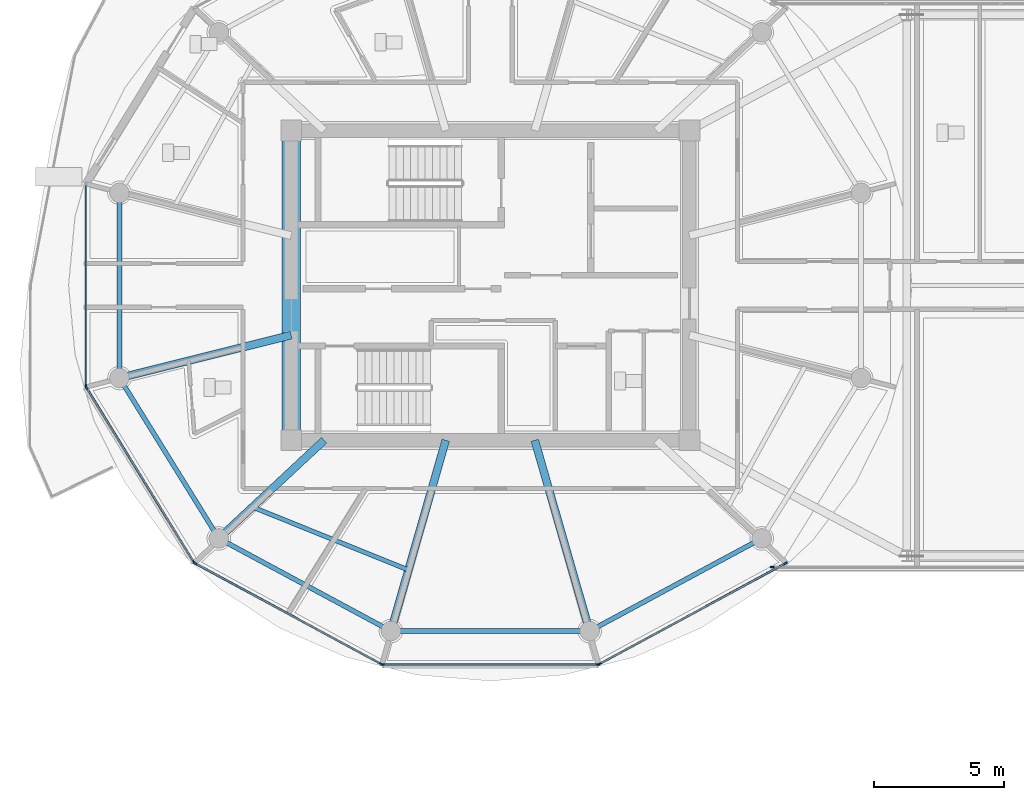
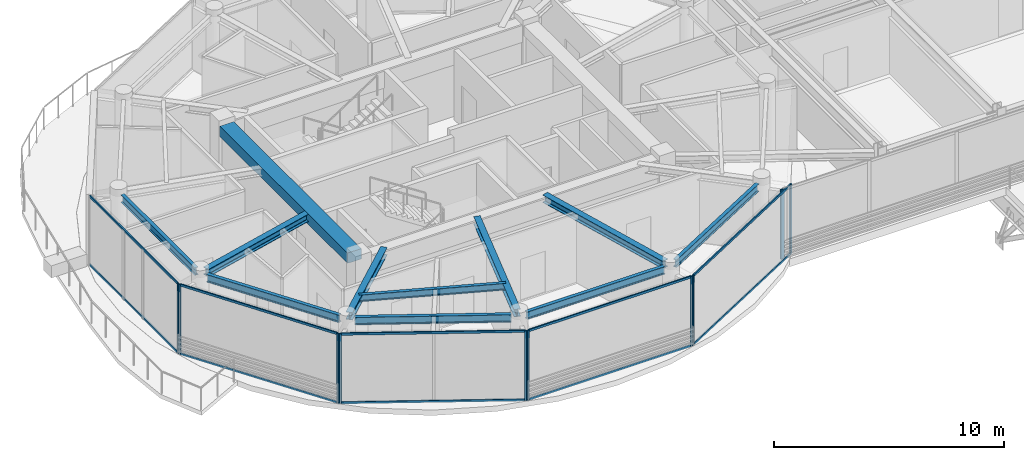
# One storey, part 3 of 31: 20 members, 11 beams, 6 elements without a shape of their own.
"""IFC4 building model written with IfcOpenShell, lengths in metres."""

from ifc_helpers import new_model, si_unit, direction, frame, origin, origin_2d, place, context, subcontext, project, spatial, rectangle, i_section, extrude, source, transform, mapped, material, layer, layer_set, material_profile, profile_set, type_object, type_shapes, element, aggregate, save


model = new_model("IFC4")

# Units and contexts
model_context = context("Model", 3, precision=1e-05, world=origin(), true_north=direction((0.0, 1.0)))
body_context = subcontext(model_context, "Body", "Model", "MODEL_VIEW")
ifc_project = project(units=[si_unit("LENGTHUNIT", "METRE"), si_unit("AREAUNIT", "SQUARE_METRE"), si_unit("VOLUMEUNIT", "CUBIC_METRE"), si_unit("PLANEANGLEUNIT", "RADIAN"), si_unit("MASSUNIT", "GRAM", prefix="KILO")], contexts=[model_context])

# Site, building, storey
site_placement = place(None, origin())
site = spatial("IfcSite", under=ifc_project, at=site_placement, CompositionType="ELEMENT")
building_placement = place(site_placement, origin())
building = spatial("IfcBuilding", under=site, at=building_placement, Name="Norrkilde Senior Care Towers", CompositionType="ELEMENT")
storey_placement = place(building_placement, frame((0.0, 0.0, 199.800048828125)))
storey = spatial("IfcBuildingStorey", under=building, at=storey_placement, Name="L62", CompositionType="ELEMENT", Elevation=199.800048828125)

# Beams
ifc_material_1 = material(Name="Concrete C60/75", Category="concrete")
ifc_material_profile_1 = material_profile(ifc_material_1, rectangle(XDim=0.699951171875, YDim=0.550048828125, at=origin_2d()), Name="RC BM 700x550")
ifc_profile_set_1 = profile_set([ifc_material_profile_1], Name="Concrete C60/75")
beam_type_1 = type_object("IfcBeamType", Name="Core Portal Coupling Beam 700x550", PredefinedType="USERDEFINED", material=ifc_profile_set_1)
shared_shape_1 = source(origin(), body_context, "Body", "SweptSolid", [
    extrude(rectangle(XDim=0.699951171875, YDim=0.550048828125, at=origin_2d()), origin(), (0.0, 0.0, 1.0), 11.14013671875),
])
type_shapes(beam_type_1, [shared_shape_1])
beam_1_placement = place(storey_placement, frame((-35.64990234375, -5.570068359375, 3.43505859375), z_axis=(0.0, 1.0, 0.0), x_axis=(-1.0, 0.0, 0.0)))
element("IfcBeam", 1, at=beam_1_placement, inside=storey, type_object=beam_type_1, Name="L62 Core W W Coupling Girder", ObjectType="GIRDER", PredefinedType="USERDEFINED", context=body_context, shape_type="MappedRepresentation", body=[
    mapped(shared_shape_1, transform((0.0, 0.0, 0.0), x_axis=(1.0, 0.0, 0.0), y_axis=(0.0, 1.0, 0.0), z_axis=(0.0, 0.0, 1.0), scale=1.0)),
])
ifc_material_2 = material(Name="Steel S355", Category="steel")
ifc_material_profile_2 = material_profile(ifc_material_2, i_section(OverallWidth=0.179931640625, OverallDepth=0.39990234375, WebThickness=0.008544921875, FlangeThickness=0.013427734375, FilletRadius=0.02099609375, at=origin_2d()), Name="IPE 400")
ifc_profile_set_2 = profile_set([ifc_material_profile_2], Name="Steel S355")
beam_type_2 = type_object("IfcBeamType", Name="Perimeter Ring Spandrel Z4 IPE400", PredefinedType="SPANDREL", material=ifc_profile_set_2)
shared_shape_2 = source(origin(), body_context, "Body", "SweptSolid", [
    extrude(i_section(OverallWidth=0.179931640625, OverallDepth=0.39990234375, WebThickness=0.008544921875, FlangeThickness=0.013427734375, FilletRadius=0.02099609375, at=origin_2d()), origin(), (0.0, 0.0, 1.0), 6.58056640625),
])
beam_2_placement = place(storey_placement, frame((-42.071044921875, -3.843505859375, 3.510009765625), z_axis=(0.526529583789, -0.850156807533, 0.0), x_axis=(0.850156807533, 0.526529583789, 0.0)))
element("IfcBeam", 2, at=beam_2_placement, inside=storey, type_object=beam_type_2, Name="L62 Drum W Perimeter Spandrel 07", PredefinedType="SPANDREL", context=body_context, shape_type="MappedRepresentation", body=[
    mapped(shared_shape_2, transform((0.0, 0.0, 0.0), x_axis=(1.0, 0.0, 0.0), y_axis=(0.0, 1.0, 0.0), z_axis=(0.0, 0.0, 1.0), scale=1.0)),
])
ifc_material_profile_3 = material_profile(ifc_material_2, i_section(OverallWidth=0.300048828125, OverallDepth=0.39990234375, WebThickness=0.013427734375, FlangeThickness=0.02392578125, FilletRadius=0.027099609375, at=origin_2d()), Name="HEB 400")
ifc_profile_set_3 = profile_set([ifc_material_profile_3], Name="Steel S355")
beam_type_3 = type_object("IfcBeamType", Name="Radial Floor Beam Z4 HEB400", PredefinedType="BEAM", material=ifc_profile_set_3)
shared_shape_3 = source(origin(), body_context, "Body", "SweptSolid", [
    extrude(i_section(OverallWidth=0.300048828125, OverallDepth=0.39990234375, WebThickness=0.013427734375, FlangeThickness=0.02392578125, FilletRadius=0.027099609375, at=origin_2d()), origin(), (0.0, 0.0, 1.0), 6.465087890625),
])
beam_3_placement = place(storey_placement, frame((-35.64990234375, -1.910888671875, 3.510009765625), z_axis=(-0.970195788563, -0.242322371758, 0.0), x_axis=(0.242322371758, -0.970195788563, 0.0)))
element("IfcBeam", 3, at=beam_3_placement, inside=storey, type_object=beam_type_3, Name="L62 Drum W Radial Floor Beam 07", PredefinedType="BEAM", context=body_context, shape_type="MappedRepresentation", body=[
    mapped(shared_shape_3, transform((0.0, 0.0, 0.0), x_axis=(1.0, 0.0, 0.0), y_axis=(0.0, 1.0, 0.0), z_axis=(0.0, 0.0, 1.0), scale=1.0)),
])
shared_shape_4 = source(origin(), body_context, "Body", "SweptSolid", [
    extrude(i_section(OverallWidth=0.179931640625, OverallDepth=0.39990234375, WebThickness=0.008544921875, FlangeThickness=0.013427734375, FilletRadius=0.02099609375, at=origin_2d()), origin(), (0.0, 0.0, 1.0), 6.839111328125),
])
for number, where, z_axis, x_axis, name in (
    (4, (-38.134765625, -9.881591796875, 3.510009765625), (0.880563930732, -0.473927382511, 0.0), (0.473927382511, 0.880563930732, 0.0), "L62 Drum W Perimeter Spandrel 08"),
    (5, (-23.887451171875, -13.122802734375, 3.510009765625), (0.880563930732, 0.473927382511, 0.0), (-0.473927382511, 0.880563930732, 0.0), "L62 Drum W Perimeter Spandrel 10"),
):
    element("IfcBeam", number, at=place(storey_placement, frame(where, z_axis=z_axis, x_axis=x_axis)), inside=storey, type_object=beam_type_2, Name=name, PredefinedType="SPANDREL", context=body_context, shape_type="MappedRepresentation", body=[
        mapped(shared_shape_4, transform((0.0, 0.0, 0.0), x_axis=(1.0, 0.0, 0.0), y_axis=(0.0, 1.0, 0.0), z_axis=(0.0, 0.0, 1.0), scale=1.0)),
    ])
shared_shape_5 = source(origin(), body_context, "Body", "SweptSolid", [
    extrude(i_section(OverallWidth=0.300048828125, OverallDepth=0.39990234375, WebThickness=0.013427734375, FlangeThickness=0.02392578125, FilletRadius=0.027099609375, at=origin_2d()), origin(), (0.0, 0.0, 1.0), 5.197998046875),
])
beam_4_placement = place(storey_placement, frame((-34.3828125, -5.949951171875, 3.510009765625), z_axis=(-0.731448749334, -0.681896419625, 0.0), x_axis=(0.681896419625, -0.731448749334, 0.0)))
element("IfcBeam", 6, at=beam_4_placement, inside=storey, type_object=beam_type_3, Name="L62 Drum W Radial Floor Beam 08", PredefinedType="BEAM", context=body_context, shape_type="MappedRepresentation", body=[
    mapped(shared_shape_5, transform((0.0, 0.0, 0.0), x_axis=(1.0, 0.0, 0.0), y_axis=(0.0, 1.0, 0.0), z_axis=(0.0, 0.0, 1.0), scale=1.0)),
])
shared_shape_6 = source(origin(), body_context, "Body", "SweptSolid", [
    extrude(i_section(OverallWidth=0.179931640625, OverallDepth=0.39990234375, WebThickness=0.008544921875, FlangeThickness=0.013427734375, FilletRadius=0.02099609375, at=origin_2d()), origin(), (0.0, 0.0, 1.0), 6.96533203125),
])
beam_5_placement = place(storey_placement, frame((-31.482666015625, -13.281494140625, 3.510009765625), z_axis=(1.0, 0.0, 0.0), x_axis=(0.0, 1.0, 0.0)))
element("IfcBeam", 7, at=beam_5_placement, inside=storey, type_object=beam_type_2, Name="L62 Drum W Perimeter Spandrel 09", PredefinedType="SPANDREL", context=body_context, shape_type="MappedRepresentation", body=[
    mapped(shared_shape_6, transform((0.0, 0.0, 0.0), x_axis=(1.0, 0.0, 0.0), y_axis=(0.0, 1.0, 0.0), z_axis=(0.0, 0.0, 1.0), scale=1.0)),
])
shared_shape_7 = source(origin(), body_context, "Body", "SweptSolid", [
    extrude(i_section(OverallWidth=0.300048828125, OverallDepth=0.39990234375, WebThickness=0.013427734375, FlangeThickness=0.02392578125, FilletRadius=0.027099609375, at=origin_2d()), origin(), (0.0, 0.0, 1.0), 7.29345703125),
])
type_shapes(beam_type_3, [shared_shape_3, shared_shape_5, shared_shape_7])
for number, where, z_axis, x_axis, name in (
    (8, (-29.710205078125, -5.949951171875, 3.510009765625), (-0.276263751906, -0.961081858836, 0.0), (0.961081858836, -0.276263751906, 0.0), "L62 Drum W Radial Floor Beam 09"),
    (9, (-26.289794921875, -5.949951171875, 3.510009765625), (0.276263751906, -0.961081858836, 0.0), (0.961081858836, 0.276263751906, 0.0), "L62 Drum W Radial Floor Beam 10"),
):
    element("IfcBeam", number, at=place(storey_placement, frame(where, z_axis=z_axis, x_axis=x_axis)), inside=storey, type_object=beam_type_3, Name=name, PredefinedType="BEAM", context=body_context, shape_type="MappedRepresentation", body=[
        mapped(shared_shape_7, transform((0.0, 0.0, 0.0), x_axis=(1.0, 0.0, 0.0), y_axis=(0.0, 1.0, 0.0), z_axis=(0.0, 0.0, 1.0), scale=1.0)),
    ])
shared_shape_8 = source(origin(), body_context, "Body", "SweptSolid", [
    extrude(i_section(OverallWidth=0.179931640625, OverallDepth=0.39990234375, WebThickness=0.008544921875, FlangeThickness=0.013427734375, FilletRadius=0.02099609375, at=origin_2d()), origin(), (0.0, 0.0, 1.0), 6.44775390625),
])
type_shapes(beam_type_2, [shared_shape_2, shared_shape_4, shared_shape_6, shared_shape_8])
beam_6_placement = place(storey_placement, frame((-42.247314453125, 3.223876953125, 3.510009765625), z_axis=(0.0, -1.0, 0.0), x_axis=(1.0, 0.0, 0.0)))
element("IfcBeam", 10, at=beam_6_placement, inside=storey, type_object=beam_type_2, Name="L62 Drum W Perimeter Spandrel 06", PredefinedType="SPANDREL", context=body_context, shape_type="MappedRepresentation", body=[
    mapped(shared_shape_8, transform((0.0, 0.0, 0.0), x_axis=(1.0, 0.0, 0.0), y_axis=(0.0, 1.0, 0.0), z_axis=(0.0, 0.0, 1.0), scale=1.0)),
])
ifc_material_profile_4 = material_profile(ifc_material_2, i_section(OverallWidth=0.169921875, OverallDepth=0.360107421875, WebThickness=0.008056640625, FlangeThickness=0.0126953125, FilletRadius=0.01806640625, at=origin_2d()), Name="IPE 360")
ifc_profile_set_4 = profile_set([ifc_material_profile_4], Name="Steel S355")
beam_type_4 = type_object("IfcBeamType", Name="Secondary Floor Joist IPE360", PredefinedType="JOIST", material=ifc_profile_set_4)
shared_shape_9 = source(origin(), body_context, "Body", "SweptSolid", [
    extrude(i_section(OverallWidth=0.169921875, OverallDepth=0.360107421875, WebThickness=0.008056640625, FlangeThickness=0.0126953125, FilletRadius=0.01806640625, at=origin_2d()), origin(), (0.0, 0.0, 1.0), 6.461669921875),
])
type_shapes(beam_type_4, [shared_shape_9])
beam_7_placement = place(storey_placement, frame((-37.134765625, -8.515380859375, 3.530029296875), z_axis=(0.927225942298, -0.374502405772, 0.0), x_axis=(0.374502405772, 0.927225942298, 0.0)))
element("IfcBeam", 11, at=beam_7_placement, inside=storey, type_object=beam_type_4, Name="L62 Drum W Secondary Floor Joist 3", PredefinedType="JOIST", context=body_context, shape_type="MappedRepresentation", body=[
    mapped(shared_shape_9, transform((0.0, 0.0, 0.0), x_axis=(1.0, 0.0, 0.0), y_axis=(0.0, 1.0, 0.0), z_axis=(0.0, 0.0, 1.0), scale=1.0)),
])

# Curtain wall, members
ifc_material_3 = material(Name="Triple Low-E Insulated Glazing", Category="glass")
ifc_layer_1 = layer(ifc_material_3, 0.18505859375)
ifc_layer_set_1 = layer_set([ifc_layer_1], Name="Triple Low-E Insulated Glazing")
curtain_wall_type_1 = type_object("IfcCurtainWallType", Name="CW6 Zone 4 Crown Pavilion Curtain Wall", PredefinedType="NOTDEFINED", material=ifc_layer_set_1)
curtain_wall_1_placement = place(storey_placement, origin())
curtain_wall_1 = element("IfcCurtainWall", 12, at=curtain_wall_1_placement, inside=storey, type_object=curtain_wall_type_1, Name="L62 Drum W Curtain Wall 06", PredefinedType="NOTDEFINED")
ifc_material_4 = material(Name="Anodised Aluminium", Category="aluminium")
ifc_material_profile_5 = material_profile(ifc_material_4, rectangle(XDim=0.06005859375, YDim=0.1201171875, at=origin_2d()), Name="ALU TRAN 60x120")
ifc_profile_set_5 = profile_set([ifc_material_profile_5], Name="Anodised Aluminium")
member_type_1 = type_object("IfcMemberType", Name="Curtain Wall Transom Typical 60x120", PredefinedType="USERDEFINED", material=ifc_profile_set_5)
shared_shape_10 = source(origin(), body_context, "Body", "SweptSolid", [
    extrude(rectangle(XDim=0.06005859375, YDim=0.1201171875, at=origin_2d()), origin(), (0.0, 0.0, 1.0), 7.808837890625),
])
member_1_placement = place(storey_placement, frame((-39.404296875, -10.60791015625, 0.030029296875), z_axis=(-0.524250924101, 0.851563837055, 0.0), x_axis=(-0.851563837055, -0.524250924101, 0.0)))
member_1 = element("IfcMember", 13, at=member_1_placement, type_object=member_type_1, Name="CW-6 transom 1.1", ObjectType="TRANSOM", PredefinedType="USERDEFINED", context=body_context, shape_type="MappedRepresentation", body=[
    mapped(shared_shape_10, transform((0.0, 0.0, 0.0), x_axis=(1.0, 0.0, 0.0), y_axis=(0.0, 1.0, 0.0), z_axis=(0.0, 0.0, 1.0), scale=1.0)),
])
member_2_placement = place(storey_placement, frame((-39.404296875, -10.60791015625, 3.679931640625), z_axis=(-0.524250924101, 0.851563837055, 0.0), x_axis=(-0.851563837055, -0.524250924101, 0.0)))
member_2 = element("IfcMember", 14, at=member_2_placement, type_object=member_type_1, Name="CW-6 transom 1.2", ObjectType="TRANSOM", PredefinedType="USERDEFINED", context=body_context, shape_type="MappedRepresentation", body=[
    mapped(shared_shape_10, transform((0.0, 0.0, 0.0), x_axis=(1.0, 0.0, 0.0), y_axis=(0.0, 1.0, 0.0), z_axis=(0.0, 0.0, 1.0), scale=1.0)),
])

curtain_wall_2_placement = place(storey_placement, origin())
curtain_wall_2 = element("IfcCurtainWall", 15, at=curtain_wall_2_placement, inside=storey, type_object=curtain_wall_type_1, Name="L62 Drum W Curtain Wall 08", PredefinedType="NOTDEFINED")
shared_shape_11 = source(origin(), body_context, "Body", "SweptSolid", [
    extrude(rectangle(XDim=0.06005859375, YDim=0.1201171875, at=origin_2d()), origin(), (0.0, 0.0, 1.0), 8.19384765625),
])
member_3_placement = place(storey_placement, frame((-23.903076171875, -14.566162109375, 0.030029296875), z_axis=(-1.0, 0.0, 0.0), x_axis=(0.0, -1.0, 0.0)))
member_3 = element("IfcMember", 16, at=member_3_placement, type_object=member_type_1, Name="CW-6 transom 1.1", ObjectType="TRANSOM", PredefinedType="USERDEFINED", context=body_context, shape_type="MappedRepresentation", body=[
    mapped(shared_shape_11, transform((0.0, 0.0, 0.0), x_axis=(1.0, 0.0, 0.0), y_axis=(0.0, 1.0, 0.0), z_axis=(0.0, 0.0, 1.0), scale=1.0)),
])
member_4_placement = place(storey_placement, frame((-23.903076171875, -14.566162109375, 3.679931640625), z_axis=(-1.0, 0.0, 0.0), x_axis=(0.0, -1.0, 0.0)))
member_4 = element("IfcMember", 17, at=member_4_placement, type_object=member_type_1, Name="CW-6 transom 1.2", ObjectType="TRANSOM", PredefinedType="USERDEFINED", context=body_context, shape_type="MappedRepresentation", body=[
    mapped(shared_shape_11, transform((0.0, 0.0, 0.0), x_axis=(1.0, 0.0, 0.0), y_axis=(0.0, 1.0, 0.0), z_axis=(0.0, 0.0, 1.0), scale=1.0)),
])

curtain_wall_3_placement = place(storey_placement, origin())
curtain_wall_3 = element("IfcCurtainWall", 18, at=curtain_wall_3_placement, inside=storey, type_object=curtain_wall_type_1, Name="L62 Drum W Curtain Wall 07", PredefinedType="NOTDEFINED")
shared_shape_12 = source(origin(), body_context, "Body", "SweptSolid", [
    extrude(rectangle(XDim=0.06005859375, YDim=0.1201171875, at=origin_2d()), origin(), (0.0, 0.0, 1.0), 8.0673828125),
])
member_5_placement = place(storey_placement, frame((-32.218994140625, -14.53515625, 0.030029296875), z_axis=(-0.87937750072, 0.476125205411, 0.0), x_axis=(-0.476125205411, -0.87937750072, 0.0)))
member_5 = element("IfcMember", 19, at=member_5_placement, type_object=member_type_1, Name="CW-6 transom 1.1", ObjectType="TRANSOM", PredefinedType="USERDEFINED", context=body_context, shape_type="MappedRepresentation", body=[
    mapped(shared_shape_12, transform((0.0, 0.0, 0.0), x_axis=(1.0, 0.0, 0.0), y_axis=(0.0, 1.0, 0.0), z_axis=(0.0, 0.0, 1.0), scale=1.0)),
])
member_6_placement = place(storey_placement, frame((-32.218994140625, -14.53515625, 3.679931640625), z_axis=(-0.87937750072, 0.476125205411, 0.0), x_axis=(-0.476125205411, -0.87937750072, 0.0)))
member_6 = element("IfcMember", 20, at=member_6_placement, type_object=member_type_1, Name="CW-6 transom 1.2", ObjectType="TRANSOM", PredefinedType="USERDEFINED", context=body_context, shape_type="MappedRepresentation", body=[
    mapped(shared_shape_12, transform((0.0, 0.0, 0.0), x_axis=(1.0, 0.0, 0.0), y_axis=(0.0, 1.0, 0.0), z_axis=(0.0, 0.0, 1.0), scale=1.0)),
])

curtain_wall_4_placement = place(storey_placement, origin())
curtain_wall_4 = element("IfcCurtainWall", 21, at=curtain_wall_4_placement, inside=storey, type_object=curtain_wall_type_1, Name="L62 Drum W Curtain Wall 09", PredefinedType="NOTDEFINED")
member_7_placement = place(storey_placement, frame((-16.686767578125, -10.694091796875, 0.030029296875), z_axis=(-0.87937750072, -0.476125205411, 0.0), x_axis=(0.476125205411, -0.87937750072, 0.0)))
member_7 = element("IfcMember", 22, at=member_7_placement, type_object=member_type_1, Name="CW-6 transom 1.1", ObjectType="TRANSOM", PredefinedType="USERDEFINED", context=body_context, shape_type="MappedRepresentation", body=[
    mapped(shared_shape_12, transform((0.0, 0.0, 0.0), x_axis=(1.0, 0.0, 0.0), y_axis=(0.0, 1.0, 0.0), z_axis=(0.0, 0.0, 1.0), scale=1.0)),
])
member_8_placement = place(storey_placement, frame((-16.686767578125, -10.694091796875, 3.679931640625), z_axis=(-0.87937750072, -0.476125205411, 0.0), x_axis=(0.476125205411, -0.87937750072, 0.0)))
member_8 = element("IfcMember", 23, at=member_8_placement, type_object=member_type_1, Name="CW-6 transom 1.2", ObjectType="TRANSOM", PredefinedType="USERDEFINED", context=body_context, shape_type="MappedRepresentation", body=[
    mapped(shared_shape_12, transform((0.0, 0.0, 0.0), x_axis=(1.0, 0.0, 0.0), y_axis=(0.0, 1.0, 0.0), z_axis=(0.0, 0.0, 1.0), scale=1.0)),
])

curtain_wall_5_placement = place(storey_placement, origin())
curtain_wall_5 = element("IfcCurtainWall", 24, at=curtain_wall_5_placement, inside=storey, type_object=curtain_wall_type_1, Name="L62 Drum W Curtain Wall 05", PredefinedType="NOTDEFINED")
shared_shape_13 = source(origin(), body_context, "Body", "SweptSolid", [
    extrude(rectangle(XDim=0.06005859375, YDim=0.1201171875, at=origin_2d()), origin(), (0.0, 0.0, 1.0), 7.67578125),
])
type_shapes(member_type_1, [shared_shape_10, shared_shape_11, shared_shape_12, shared_shape_13])
member_9_placement = place(storey_placement, frame((-43.531982421875, -3.837890625, 0.030029296875), z_axis=(0.0, 1.0, 0.0), x_axis=(-1.0, 0.0, 0.0)))
member_9 = element("IfcMember", 25, at=member_9_placement, type_object=member_type_1, Name="CW-6 transom 1.1", ObjectType="TRANSOM", PredefinedType="USERDEFINED", context=body_context, shape_type="MappedRepresentation", body=[
    mapped(shared_shape_13, transform((0.0, 0.0, 0.0), x_axis=(1.0, 0.0, 0.0), y_axis=(0.0, 1.0, 0.0), z_axis=(0.0, 0.0, 1.0), scale=1.0)),
])
member_10_placement = place(storey_placement, frame((-43.531982421875, -3.837890625, 3.679931640625), z_axis=(0.0, 1.0, 0.0), x_axis=(-1.0, 0.0, 0.0)))
member_10 = element("IfcMember", 26, at=member_10_placement, type_object=member_type_1, Name="CW-6 transom 1.2", ObjectType="TRANSOM", PredefinedType="USERDEFINED", context=body_context, shape_type="MappedRepresentation", body=[
    mapped(shared_shape_13, transform((0.0, 0.0, 0.0), x_axis=(1.0, 0.0, 0.0), y_axis=(0.0, 1.0, 0.0), z_axis=(0.0, 0.0, 1.0), scale=1.0)),
])
ifc_material_profile_6 = material_profile(ifc_material_4, rectangle(XDim=0.06494140625, YDim=0.14990234375, at=origin_2d()), Name="ALU MULL 65x150")
ifc_profile_set_6 = profile_set([ifc_material_profile_6], Name="Anodised Aluminium")
member_type_2 = type_object("IfcMemberType", Name="Curtain Wall Mullion Z3-Z4 65x150", PredefinedType="MULLION", material=ifc_profile_set_6)
shared_shape_14 = source(origin(), body_context, "Body", "SweptSolid", [
    extrude(rectangle(XDim=0.06494140625, YDim=0.14990234375, at=origin_2d()), origin(), (0.0, 0.0, 1.0), 3.7099609375),
])
type_shapes(member_type_2, [shared_shape_14])
member_11_placement = place(storey_placement, frame((-43.531982421875, -3.87060546875, 0.0), z_axis=(0.0, 0.0, 1.0), x_axis=(-1.0, 0.0, 0.0)))
member_11 = element("IfcMember", 27, at=member_11_placement, type_object=member_type_2, Name="CW-6 mullion 1", PredefinedType="MULLION", context=body_context, shape_type="MappedRepresentation", body=[
    mapped(shared_shape_14, transform((0.0, 0.0, 0.0), x_axis=(1.0, 0.0, 0.0), y_axis=(0.0, 1.0, 0.0), z_axis=(0.0, 0.0, 1.0), scale=1.0)),
])
aggregate(curtain_wall_5, [member_11, member_9, member_10])

# Member
member_12_placement = place(storey_placement, frame((-39.38720703125, -10.635498046875, 0.0), z_axis=(0.0, 0.0, 1.0), x_axis=(-0.851562727283, -0.524252726748, 0.0)))
member_12 = element("IfcMember", 28, at=member_12_placement, type_object=member_type_2, Name="CW-6 mullion 1", PredefinedType="MULLION", context=body_context, shape_type="MappedRepresentation", body=[
    mapped(shared_shape_14, transform((0.0, 0.0, 0.0), x_axis=(1.0, 0.0, 0.0), y_axis=(0.0, 1.0, 0.0), z_axis=(0.0, 0.0, 1.0), scale=1.0)),
])

member_13_placement = place(storey_placement, frame((-43.51513671875, -3.9306640625, 0.0), z_axis=(0.0, 0.0, 1.0), x_axis=(-0.851562727283, -0.524252726748, 0.0)))
member_13 = element("IfcMember", 29, at=member_13_placement, type_object=member_type_2, Name="CW-6 mullion 2", PredefinedType="MULLION", context=body_context, shape_type="MappedRepresentation", body=[
    mapped(shared_shape_14, transform((0.0, 0.0, 0.0), x_axis=(1.0, 0.0, 0.0), y_axis=(0.0, 1.0, 0.0), z_axis=(0.0, 0.0, 1.0), scale=1.0)),
])

aggregate(curtain_wall_1, [member_12, member_13, member_1, member_2])

member_14_placement = place(storey_placement, frame((-32.1904296875, -14.55078125, 0.0), z_axis=(0.0, 0.0, 1.0), x_axis=(-0.476132676136, -0.879373455772, 0.0)))
member_14 = element("IfcMember", 30, at=member_14_placement, type_object=member_type_2, Name="CW-6 mullion 1", PredefinedType="MULLION", context=body_context, shape_type="MappedRepresentation", body=[
    mapped(shared_shape_14, transform((0.0, 0.0, 0.0), x_axis=(1.0, 0.0, 0.0), y_axis=(0.0, 1.0, 0.0), z_axis=(0.0, 0.0, 1.0), scale=1.0)),
])

member_15_placement = place(storey_placement, frame((-39.341796875, -10.6787109375, 0.0), z_axis=(0.0, 0.0, 1.0), x_axis=(-0.476132676136, -0.879373455772, 0.0)))
member_15 = element("IfcMember", 31, at=member_15_placement, type_object=member_type_2, Name="CW-6 mullion 2", PredefinedType="MULLION", context=body_context, shape_type="MappedRepresentation", body=[
    mapped(shared_shape_14, transform((0.0, 0.0, 0.0), x_axis=(1.0, 0.0, 0.0), y_axis=(0.0, 1.0, 0.0), z_axis=(0.0, 0.0, 1.0), scale=1.0)),
])

aggregate(curtain_wall_3, [member_14, member_15, member_5, member_6])

member_16_placement = place(storey_placement, frame((-23.87060546875, -14.566162109375, 0.0), z_axis=(0.0, 0.0, 1.0), x_axis=(0.0, -1.0, 0.0)))
member_16 = element("IfcMember", 32, at=member_16_placement, type_object=member_type_2, Name="CW-6 mullion 1", PredefinedType="MULLION", context=body_context, shape_type="MappedRepresentation", body=[
    mapped(shared_shape_14, transform((0.0, 0.0, 0.0), x_axis=(1.0, 0.0, 0.0), y_axis=(0.0, 1.0, 0.0), z_axis=(0.0, 0.0, 1.0), scale=1.0)),
])

member_17_placement = place(storey_placement, frame((-32.12939453125, -14.566162109375, 0.0), z_axis=(0.0, 0.0, 1.0), x_axis=(0.0, -1.0, 0.0)))
member_17 = element("IfcMember", 33, at=member_17_placement, type_object=member_type_2, Name="CW-6 mullion 2", PredefinedType="MULLION", context=body_context, shape_type="MappedRepresentation", body=[
    mapped(shared_shape_14, transform((0.0, 0.0, 0.0), x_axis=(1.0, 0.0, 0.0), y_axis=(0.0, 1.0, 0.0), z_axis=(0.0, 0.0, 1.0), scale=1.0)),
])

aggregate(curtain_wall_2, [member_16, member_17, member_3, member_4])

member_18_placement = place(storey_placement, frame((-16.658203125, -10.6787109375, 0.0), z_axis=(0.0, 0.0, 1.0), x_axis=(0.476132676136, -0.879373455772, 0.0)))
member_18 = element("IfcMember", 34, at=member_18_placement, type_object=member_type_2, Name="CW-6 mullion 1", PredefinedType="MULLION", context=body_context, shape_type="MappedRepresentation", body=[
    mapped(shared_shape_14, transform((0.0, 0.0, 0.0), x_axis=(1.0, 0.0, 0.0), y_axis=(0.0, 1.0, 0.0), z_axis=(0.0, 0.0, 1.0), scale=1.0)),
])

member_19_placement = place(storey_placement, frame((-23.8095703125, -14.55078125, 0.0), z_axis=(0.0, 0.0, 1.0), x_axis=(0.476132676136, -0.879373455772, 0.0)))
member_19 = element("IfcMember", 35, at=member_19_placement, type_object=member_type_2, Name="CW-6 mullion 2", PredefinedType="MULLION", context=body_context, shape_type="MappedRepresentation", body=[
    mapped(shared_shape_14, transform((0.0, 0.0, 0.0), x_axis=(1.0, 0.0, 0.0), y_axis=(0.0, 1.0, 0.0), z_axis=(0.0, 0.0, 1.0), scale=1.0)),
])

aggregate(curtain_wall_4, [member_18, member_19, member_7, member_8])

# Curtain wall, member
ifc_layer_2 = layer(ifc_material_3, 0.2099609375)
ifc_layer_set_2 = layer_set([ifc_layer_2], Name="Triple Low-E Insulated Glazing")
curtain_wall_type_2 = type_object("IfcCurtainWallType", Name="CW5 Sky-Gate Bridge Curtain Wall", PredefinedType="NOTDEFINED", material=ifc_layer_set_2)
curtain_wall_6_placement = place(storey_placement, origin())
curtain_wall_6 = element("IfcCurtainWall", 36, at=curtain_wall_6_placement, inside=storey, type_object=curtain_wall_type_2, Name="L62 Sky-Gate Bridge South Curtain Wall 3", PredefinedType="NOTDEFINED")
ifc_material_profile_7 = material_profile(ifc_material_4, rectangle(XDim=0.070068359375, YDim=0.169921875, at=origin_2d()), Name="ALU MULL 70x170")
ifc_profile_set_7 = profile_set([ifc_material_profile_7], Name="Anodised Aluminium")
member_type_3 = type_object("IfcMemberType", Name="Curtain Wall Mullion Heavy 70x170", PredefinedType="MULLION", material=ifc_profile_set_7)
shared_shape_15 = source(origin(), body_context, "Body", "SweptSolid", [
    extrude(rectangle(XDim=0.070068359375, YDim=0.169921875, at=origin_2d()), origin(), (0.0, 0.0, 1.0), 3.7099609375),
])
type_shapes(member_type_3, [shared_shape_15])
member_20_placement = place(storey_placement, frame((-17.1650390625, -10.820068359375, 0.0), z_axis=(0.0, 0.0, 1.0), x_axis=(0.0, -1.0, 0.0)))
member_20 = element("IfcMember", 37, at=member_20_placement, type_object=member_type_3, Name="CW-5 mullion 4", PredefinedType="MULLION", context=body_context, shape_type="MappedRepresentation", body=[
    mapped(shared_shape_15, transform((0.0, 0.0, 0.0), x_axis=(1.0, 0.0, 0.0), y_axis=(0.0, 1.0, 0.0), z_axis=(0.0, 0.0, 1.0), scale=1.0)),
])
aggregate(curtain_wall_6, [member_20])

save(model, "model.ifc")
